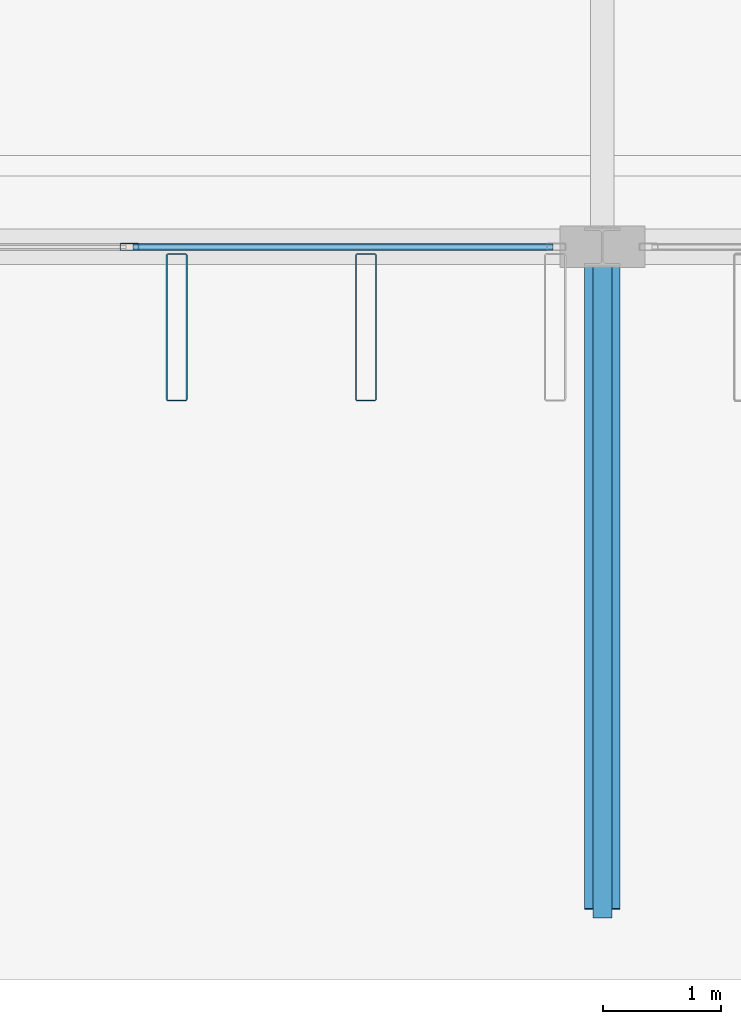
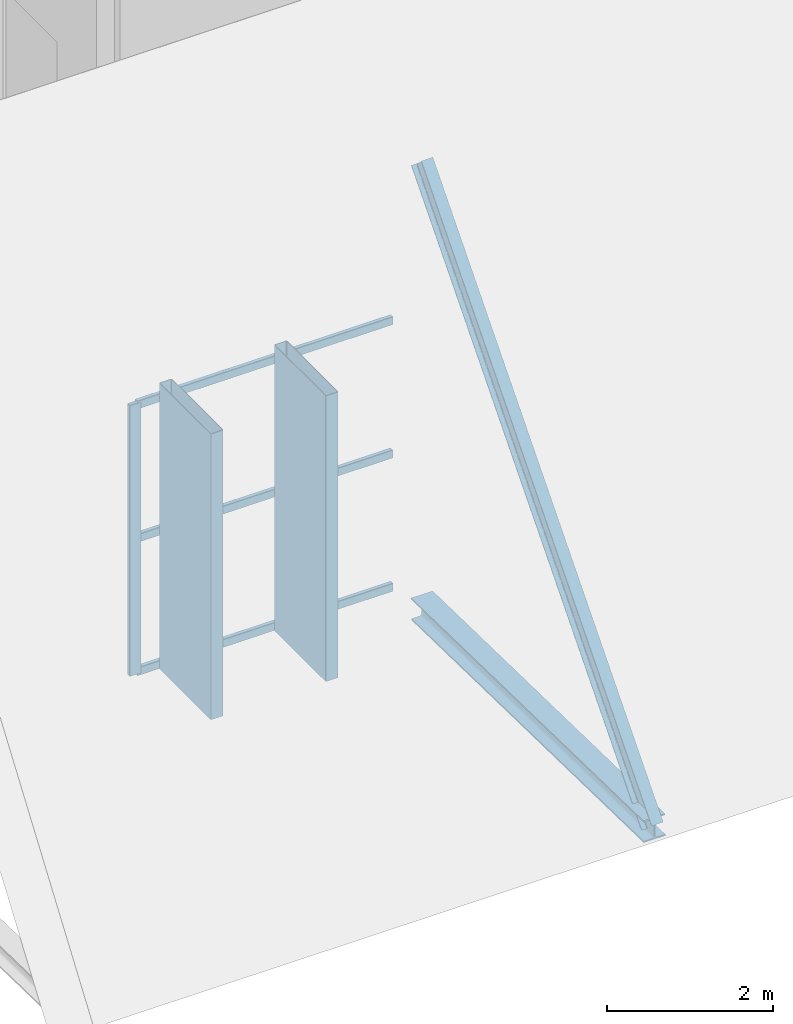
# One storey, part 35 of 93: 7 members, 1 beam, 1 element without a shape of its own.
"""IFC4 building model written with IfcOpenShell, lengths in metres."""

from ifc_helpers import new_model, si_unit, direction, frame, origin, origin_2d, place, context, subcontext, project, spatial, hollow_rectangle, i_section, extrude, material, layer, layer_set, material_profile, profile_set, type_object, element, aggregate, save


model = new_model("IFC4")

# Units and contexts
model_context = context("Model", 3, precision=1e-05, world=origin(), true_north=direction((0.0, 1.0)))
body_context = subcontext(model_context, "Body", "Model", "MODEL_VIEW")
ifc_project = project(units=[si_unit("LENGTHUNIT", "METRE"), si_unit("AREAUNIT", "SQUARE_METRE"), si_unit("VOLUMEUNIT", "CUBIC_METRE"), si_unit("PLANEANGLEUNIT", "RADIAN"), si_unit("MASSUNIT", "GRAM", prefix="KILO")], contexts=[model_context])

# Site, building, storey
site_placement = place(None, origin())
site = spatial("IfcSite", under=ifc_project, at=site_placement, CompositionType="ELEMENT")
building_placement = place(site_placement, origin())
building = spatial("IfcBuilding", under=site, at=building_placement, Name="Vekula Escarpment Museum", CompositionType="ELEMENT")
storey_placement = place(building_placement, frame((0.0, 0.0, 22.199951171875)))
storey = spatial("IfcBuildingStorey", under=building, at=storey_placement, Name="L05", CompositionType="ELEMENT", Elevation=22.199951171875)

# Beam
ifc_material_1 = material(Name="Steel S355", Category="steel")
ifc_material_profile_1 = material_profile(ifc_material_1, i_section(OverallWidth=0.300048828125, OverallDepth=0.320068359375, WebThickness=0.011474609375, FlangeThickness=0.0205078125, FilletRadius=0.027099609375, at=origin_2d()), Name="HEB 320")
ifc_profile_set_1 = profile_set([ifc_material_profile_1], Name="Steel S355")
beam_type = type_object("IfcBeamType", Name="BM-EAVE-OUT", PredefinedType="BEAM", material=ifc_profile_set_1)
beam_placement = place(storey_placement, frame((118.0, 45.60009765625, -0.39990234375), z_axis=(0.0, -0.999770980386, 0.021400625659), x_axis=(1.0, 0.0, 0.0)))
element("IfcBeam", 1, at=beam_placement, inside=storey, type_object=beam_type, Name="Great Hall South Eave Outrigger 118", PredefinedType="BEAM", context=body_context, shape_type="SweptSolid", body=[
    extrude(i_section(OverallWidth=0.300048828125, OverallDepth=0.320068359375, WebThickness=0.011474609375, FlangeThickness=0.0205078125, FilletRadius=0.027099609375, at=origin_2d()), origin(), (0.0, 0.0, 1.0), 5.601318359375),
])

# Curtain wall, members
ifc_material_2 = material(Name="Aluminium thermally broken framing", Category="aluminium")
ifc_layer = layer(ifc_material_2, 0.179931640625)
ifc_layer_set = layer_set([ifc_layer], Name="Aluminium thermally broken framing")
curtain_wall_type = type_object("IfcCurtainWallType", Name="CW-SYS-08", PredefinedType="NOTDEFINED", material=ifc_layer_set)
curtain_wall_placement = place(storey_placement, origin())
curtain_wall = element("IfcCurtainWall", 2, at=curtain_wall_placement, inside=storey, type_object=curtain_wall_type, Name="Curtain Wall CW-L05-168", PredefinedType="NOTDEFINED")
ifc_material_3 = material(Name="Aluminium anodized mullion", Category="aluminium")
ifc_material_profile_2 = material_profile(ifc_material_3, hollow_rectangle(XDim=0.06005859375, YDim=0.159912109375, WallThickness=0.00390625, InnerFilletRadius=0.00390625, OuterFilletRadius=0.008056640625, at=origin_2d()), Name="ALU 160x60x4")
ifc_profile_set_2 = profile_set([ifc_material_profile_2], Name="Aluminium anodized mullion")
member_type_1 = type_object("IfcMemberType", Name="CW-MUL-160", PredefinedType="MULLION", material=ifc_profile_set_2)
member_1_placement = place(storey_placement, frame((114.0, 45.60009765625, 0.0), z_axis=(0.0, 0.0, 1.0), x_axis=(0.0, 1.0, 0.0)))
member_1 = element("IfcMember", 3, at=member_1_placement, type_object=member_type_1, Name="CW-08 mullion 2", PredefinedType="MULLION", context=body_context, shape_type="SweptSolid", body=[
    extrude(hollow_rectangle(XDim=0.06005859375, YDim=0.159912109375, WallThickness=0.00390625, InnerFilletRadius=0.00390625, OuterFilletRadius=0.008056640625, at=origin_2d()), origin(), (0.0, 0.0, 1.0), 3.97998046875),
])
ifc_material_4 = material(Name="Aluminium anodized transom", Category="aluminium")
ifc_material_profile_3 = material_profile(ifc_material_4, hollow_rectangle(XDim=0.06005859375, YDim=0.1201171875, WallThickness=0.00390625, InnerFilletRadius=0.00390625, OuterFilletRadius=0.008056640625, at=origin_2d()), Name="ALU 120x60x4")
ifc_profile_set_3 = profile_set([ifc_material_profile_3], Name="Aluminium anodized transom")
member_type_2 = type_object("IfcMemberType", Name="CW-TRN-120", PredefinedType="USERDEFINED", material=ifc_profile_set_3)
member_2_placement = place(storey_placement, frame((114.030029296875, 45.60009765625, 0.030029296875), z_axis=(1.0, 0.0, 0.0), x_axis=(0.0, 1.0, 0.0)))
member_2 = element("IfcMember", 4, at=member_2_placement, type_object=member_type_2, Name="CW-08 transom 2.1", ObjectType="TRANSOM", PredefinedType="USERDEFINED", context=body_context, shape_type="SweptSolid", body=[
    extrude(hollow_rectangle(XDim=0.06005859375, YDim=0.1201171875, WallThickness=0.00390625, InnerFilletRadius=0.00390625, OuterFilletRadius=0.008056640625, at=origin_2d()), origin(), (0.0, 0.0, 1.0), 3.550048828125),
])
member_3_placement = place(storey_placement, frame((114.030029296875, 45.60009765625, 1.989990234375), z_axis=(1.0, 0.0, 0.0), x_axis=(0.0, 1.0, 0.0)))
member_3 = element("IfcMember", 5, at=member_3_placement, type_object=member_type_2, Name="CW-08 transom 2.2", ObjectType="TRANSOM", PredefinedType="USERDEFINED", context=body_context, shape_type="SweptSolid", body=[
    extrude(hollow_rectangle(XDim=0.06005859375, YDim=0.1201171875, WallThickness=0.00390625, InnerFilletRadius=0.00390625, OuterFilletRadius=0.008056640625, at=origin_2d()), origin(), (0.0, 0.0, 1.0), 3.550048828125),
])
member_4_placement = place(storey_placement, frame((114.030029296875, 45.60009765625, 3.949951171875), z_axis=(1.0, 0.0, 0.0), x_axis=(0.0, 1.0, 0.0)))
member_4 = element("IfcMember", 6, at=member_4_placement, type_object=member_type_2, Name="CW-08 transom 2.3", ObjectType="TRANSOM", PredefinedType="USERDEFINED", context=body_context, shape_type="SweptSolid", body=[
    extrude(hollow_rectangle(XDim=0.06005859375, YDim=0.1201171875, WallThickness=0.00390625, InnerFilletRadius=0.00390625, OuterFilletRadius=0.008056640625, at=origin_2d()), origin(), (0.0, 0.0, 1.0), 3.550048828125),
])
aggregate(curtain_wall, [member_1, member_2, member_3, member_4])

# Members
ifc_material_5 = material(Name="Steel S355", Category="steel")
ifc_material_profile_4 = material_profile(ifc_material_5, i_section(OverallWidth=0.159912109375, OverallDepth=0.330078125, WebThickness=0.007568359375, FlangeThickness=0.011474609375, FilletRadius=0.01806640625, at=origin_2d()), Name="IPE 330")
ifc_profile_set_4 = profile_set([ifc_material_profile_4], Name="Steel S355")
member_type_3 = type_object("IfcMemberType", Name="MB-SKIRT-RAFTER", PredefinedType="CHORD", material=ifc_profile_set_4)
member_5_placement = place(storey_placement, frame((118.0, 40.050048828125, -0.280029296875), z_axis=(0.0, 0.654565426105, 0.756005359073), x_axis=(-1.0, 0.0, 0.0)))
element("IfcMember", 7, at=member_5_placement, inside=storey, type_object=member_type_3, Name="Truncated-Hip Rafter South 118", PredefinedType="CHORD", context=body_context, shape_type="SweptSolid", body=[
    extrude(i_section(OverallWidth=0.159912109375, OverallDepth=0.330078125, WebThickness=0.007568359375, FlangeThickness=0.011474609375, FilletRadius=0.01806640625, at=origin_2d()), origin(), (0.0, 0.0, 1.0), 8.47900390625),
])
ifc_material_6 = material(Name="Steel S355 weathered bronze solar fin", Category="steel")
ifc_material_profile_5 = material_profile(ifc_material_6, hollow_rectangle(XDim=0.179931640625, YDim=1.25, WallThickness=0.010009765625, InnerFilletRadius=0.010009765625, OuterFilletRadius=0.02001953125, at=origin_2d()), Name="RHS 1250x180x10")
ifc_profile_set_5 = profile_set([ifc_material_profile_5], Name="Steel S355 weathered bronze solar fin")
member_type_4 = type_object("IfcMemberType", Name="MB-SOLAR-FIN", PredefinedType="USERDEFINED", material=ifc_profile_set_5)
for number, where, z_axis, x_axis, name in (
    (8, (114.39990234375, 44.919921875, 0.0), (0.0, 0.0, 1.0), (1.0, 0.0, 0.0), "Great Hall Vertical Solar Fin 0100"),
    (9, (116.0, 44.919921875, 0.0), (0.0, 0.0, 1.0), (1.0, 0.0, 0.0), "Great Hall Vertical Solar Fin 0105"),
):
    element("IfcMember", number, at=place(storey_placement, frame(where, z_axis=z_axis, x_axis=x_axis)), inside=storey, type_object=member_type_4, Name=name, ObjectType="SOLAR FIN", PredefinedType="USERDEFINED", context=body_context, shape_type="SweptSolid", body=[
        extrude(hollow_rectangle(XDim=0.179931640625, YDim=1.25, WallThickness=0.010009765625, InnerFilletRadius=0.010009765625, OuterFilletRadius=0.02001953125, at=origin_2d()), origin(), (0.0, 0.0, 1.0), 4.199951171875),
    ])

save(model, "model.ifc")
